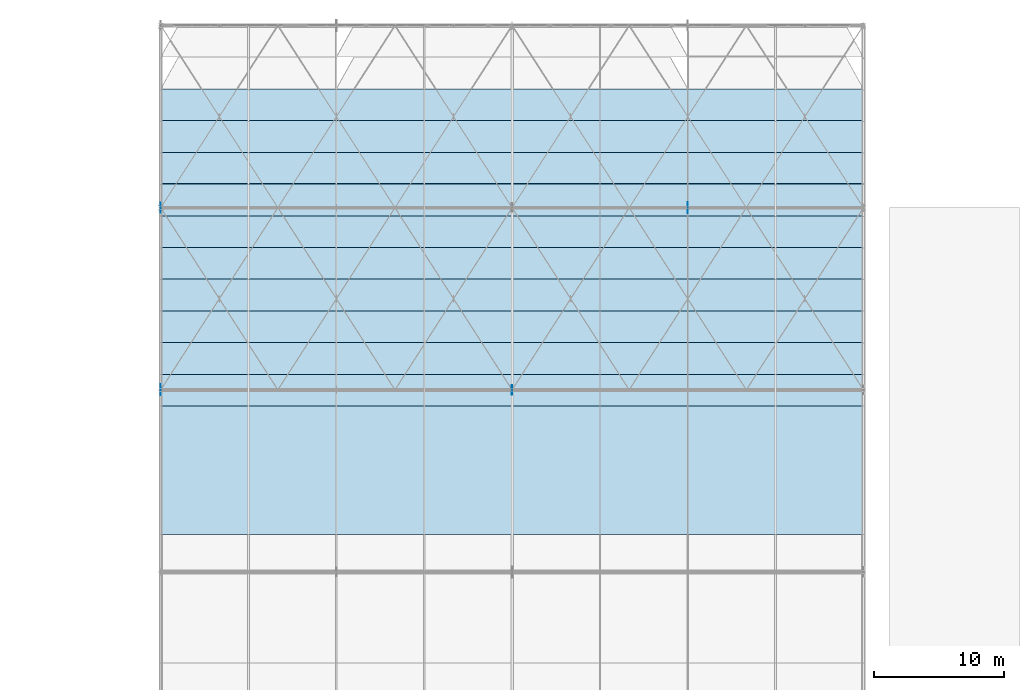
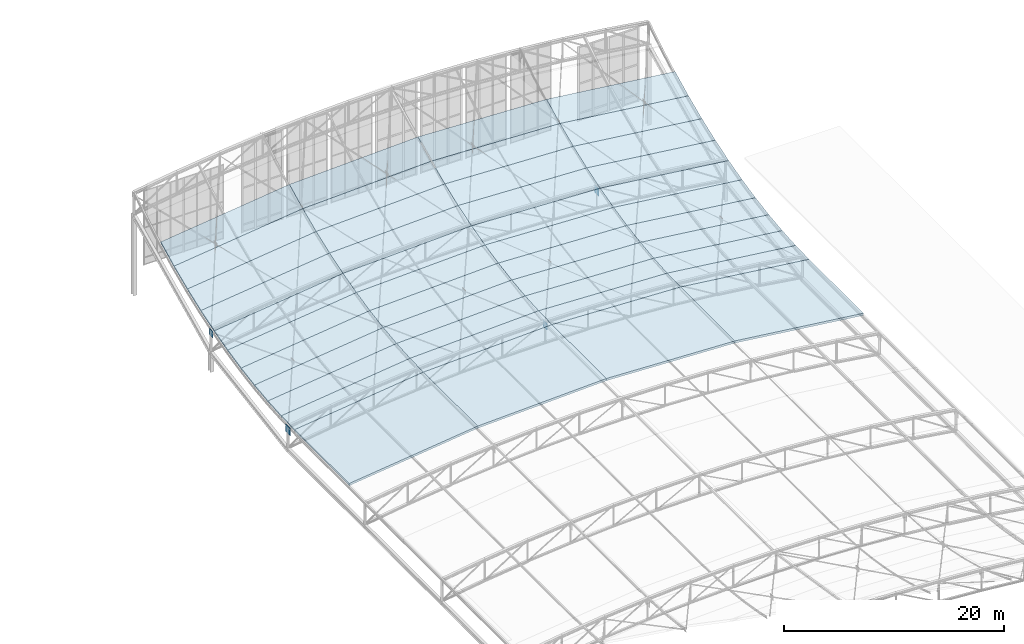
# One storey, part 232 of 262: 44 slabs, 4 plates.
"""IFC4 building model written with IfcOpenShell, lengths in metres."""

import ifcopenshell
import ifcopenshell.guid

model = None  # the IFC model being written
_history = None  # IfcOwnerHistory: only IFC2X3 demands one
_inside = {}  # id of a spatial element -> (the spatial element, [elements in it])
_under = {}  # id of a project, library or spatial element -> (it, [spatial elements below it])
_declared = {}  # id of a project -> (the project, [libraries it declares])
_typed = {}  # id of a type object -> (the type object, [elements of that type])
_made_of = {}  # id of a material, layer set ... -> (it, [elements and type objects made of it])


def new_model(schema):
    """Start an empty IFC model of exactly this schema.

    Asked for "IFC4X3", IfcOpenShell would pick the latest addendum, in which some entities
    have other attributes; the version numbers below select the first issue.
    IFC2X3 requires an IfcOwnerHistory on every rooted entity: one is made here for all.
    """
    global model, _history
    if schema == "IFC4X3":
        model = ifcopenshell.file(schema_version=(4, 3, 0, 0))
    else:
        model = ifcopenshell.file(schema=schema)
    _inside.clear()
    _under.clear()
    _declared.clear()
    _typed.clear()
    _made_of.clear()
    _history = None
    if model.schema == "IFC2X3":
        org = make("IfcOrganization", Name="unknown")
        user = make(
            "IfcPersonAndOrganization",
            ThePerson=make("IfcPerson", FamilyName="unknown"),
            TheOrganization=org,
        )
        app = make(
            "IfcApplication",
            ApplicationDeveloper=org,
            Version="unknown",
            ApplicationFullName="unknown",
            ApplicationIdentifier="unknown",
        )
        _history = make(
            "IfcOwnerHistory",
            OwningUser=user,
            OwningApplication=app,
            ChangeAction="ADDED",
            CreationDate=0,
        )
    return model


def make(cls, **values):
    """One entity of the class cls with the attributes given. An attribute that is None is left unset."""
    return model.create_entity(
        cls, **{name: value for name, value in values.items() if value is not None}
    )


def rooted(cls, **values):
    """An entity with a GlobalId (a new one), such as an element, a storey or a relation."""
    return make(cls, GlobalId=ifcopenshell.guid.new(), OwnerHistory=_history, **values)


def si_unit(unit_type, name, prefix=None):
    """IfcSIUnit, for example si_unit("LENGTHUNIT", "METRE", prefix="MILLI")."""
    return make("IfcSIUnit", UnitType=unit_type, Prefix=prefix, Name=name)


def derived_unit(unit_type, elements):
    """IfcDerivedUnit: a product of units, each with its exponent."""
    return make(
        "IfcDerivedUnit",
        Elements=[
            make("IfcDerivedUnitElement", Unit=unit, Exponent=power)
            for unit, power in elements
        ],
        UnitType=unit_type,
    )


def assignment(units):
    """IfcUnitAssignment: the units of a project."""
    return None if units is None else make("IfcUnitAssignment", Units=units)


def point(xyz):
    """IfcCartesianPoint."""
    return None if xyz is None else make("IfcCartesianPoint", Coordinates=xyz)


def direction(xyz):
    """IfcDirection."""
    return None if xyz is None else make("IfcDirection", DirectionRatios=xyz)


def frame(location, z_axis=None, x_axis=None):
    """IfcAxis2Placement3D, a coordinate frame: its origin and axes. An axis left out is left unset."""
    return make(
        "IfcAxis2Placement3D",
        Location=point(location),
        Axis=direction(z_axis),
        RefDirection=direction(x_axis),
    )


def frame_2d(location, x_axis=None):
    """IfcAxis2Placement2D, a coordinate frame in the plane: its origin and x axis."""
    return make(
        "IfcAxis2Placement2D", Location=point(location), RefDirection=direction(x_axis)
    )


def origin():
    """The frame at (0, 0, 0) with its axes left unset."""
    return frame((0.0, 0.0, 0.0))


def origin_2d():
    """The frame at (0, 0) in the plane with its x axis left unset."""
    return frame_2d((0.0, 0.0))


def place(relative_to, where):
    """IfcLocalPlacement: puts the frame where relative to a parent placement (None: the world)."""
    return make(
        "IfcLocalPlacement", PlacementRelTo=relative_to, RelativePlacement=where
    )


def context(
    kind, dimensions, precision=None, world=None, true_north=None, identifier=None
):
    """IfcGeometricRepresentationContext, for example the 3D "Model" context."""
    return make(
        "IfcGeometricRepresentationContext",
        ContextIdentifier=identifier,
        ContextType=kind,
        CoordinateSpaceDimension=dimensions,
        Precision=precision,
        WorldCoordinateSystem=world,
        TrueNorth=true_north,
    )


def subcontext(parent, identifier, kind, view, scale=None):
    """IfcGeometricRepresentationSubContext, for example "Body" below "Model"."""
    return make(
        "IfcGeometricRepresentationSubContext",
        ContextIdentifier=identifier,
        ContextType=kind,
        ParentContext=parent,
        TargetScale=scale,
        TargetView=view,
    )


def project(units=None, contexts=None):
    """IfcProject with its units and contexts."""
    return rooted(
        "IfcProject",
        Name="project",
        RepresentationContexts=contexts,
        UnitsInContext=assignment(units),
    )


def spatial(cls, under=None, at=None, **own):
    """A site, building, storey or space (cls), placed at a placement, below another one or the project."""
    s = rooted(cls, ObjectPlacement=at, **own)
    if under is not None:
        _under.setdefault(under.id(), (under, []))[1].append(s)
    return s


def polyline(points):
    """IfcPolyline through the points."""
    return make("IfcPolyline", Points=[point(p) for p in points])


def profile(cls, at=None, kind="AREA", **sizes):
    """A parametric profile (cls). Its sizes go by their IFC names, for example OverallWidth=200.0."""
    return make(cls, ProfileType=kind, Position=at, **sizes)


def rectangle(**sizes):
    """IfcRectangleProfileDef."""
    return profile("IfcRectangleProfileDef", **sizes)


def outline(outer, holes=None, kind="AREA"):
    """IfcArbitraryClosedProfileDef: a profile drawn as a closed curve; with holes, ...WithVoids."""
    if holes is None:
        return make("IfcArbitraryClosedProfileDef", ProfileType=kind, OuterCurve=outer)
    return make(
        "IfcArbitraryProfileDefWithVoids",
        ProfileType=kind,
        OuterCurve=outer,
        InnerCurves=holes,
    )


def extrude(swept, where, along, depth):
    """IfcExtrudedAreaSolid: the profile swept, set in the frame where, extruded along a direction by depth."""
    return make(
        "IfcExtrudedAreaSolid",
        SweptArea=swept,
        Position=where,
        ExtrudedDirection=direction(along),
        Depth=depth,
    )


def shape(context_of_items, identifier, shape_type, items):
    """IfcShapeRepresentation: the items that make up one representation, for example the "Body"."""
    return make(
        "IfcShapeRepresentation",
        ContextOfItems=context_of_items,
        RepresentationIdentifier=identifier,
        RepresentationType=shape_type,
        Items=items,
    )


def material(Name=None, Category=None):
    """IfcMaterial."""
    return make("IfcMaterial", Name=Name, Category=Category)


def layer(
    of_material, thickness, ventilated=None, Name=None, Category=None, Priority=None
):
    """IfcMaterialLayer: one layer of a wall or slab, of a material (None: an air gap)."""
    return make(
        "IfcMaterialLayer",
        Material=of_material,
        LayerThickness=thickness,
        IsVentilated=ventilated,
        Name=Name,
        Category=Category,
        Priority=Priority,
    )


def layer_set(layers, Name=None):
    """IfcMaterialLayerSet."""
    return make("IfcMaterialLayerSet", MaterialLayers=layers, LayerSetName=Name)


def made_of(thing, what):
    """Note that an element or type object is made of a material, layer set ...; save() writes the relation."""
    if what is not None:
        _made_of.setdefault(what.id(), (what, []))[1].append(thing)
    return thing


def type_object(cls, material=None, **own):
    """A type object (cls), such as IfcWallType, which elements share."""
    return made_of(rooted(cls, **own), material)


def element(
    cls,
    number,
    at=None,
    inside=None,
    cuts=None,
    type_object=None,
    material=None,
    context=None,
    identifier="Body",
    shape_type=None,
    held_by="IfcProductDefinitionShape",
    body=None,
    shapes=None,
    **own,
):
    """One element of the class cls, such as IfcWall. Its Tag is "e" and its number.

    at: its placement. inside: the storey or other place that contains it. cuts: it is an
    opening in that element (IfcRelVoidsElement). A single representation is given by context,
    identifier, shape_type and body (its items); several are given by shapes. held_by: the class
    of the entity that holds the representations. save() writes the other relations.
    """
    e = rooted(cls, Tag="e%d" % number, ObjectPlacement=at, **own)
    if body is not None:
        shapes = [shape(context, identifier, shape_type, body)]
    if shapes is not None:
        e.Representation = make(held_by, Representations=shapes)
    if inside is not None:
        _inside.setdefault(inside.id(), (inside, []))[1].append(e)
    if cuts is not None:
        rooted(
            "IfcRelVoidsElement", RelatingBuildingElement=cuts, RelatedOpeningElement=e
        )
    if type_object is not None:
        _typed.setdefault(type_object.id(), (type_object, []))[1].append(e)
    return made_of(e, material)


def aggregate(whole, parts):
    """IfcRelAggregates: a whole, such as a stair, and the parts it consists of."""
    return rooted("IfcRelAggregates", RelatingObject=whole, RelatedObjects=parts)


def save(model, path):
    """Write the relations noted so far, then the file.

    IfcRelAggregates (storeys below a building ...), IfcRelContainedInSpatialStructure (elements
    in a storey), IfcRelDefinesByType, IfcRelAssociatesMaterial and IfcRelDeclares: one each for
    every whole, place, type object, material and project.
    """
    for whole, parts in _under.values():
        aggregate(whole, parts)
    for where, things in _inside.values():
        rooted(
            "IfcRelContainedInSpatialStructure",
            RelatedElements=things,
            RelatingStructure=where,
        )
    for kind, things in _typed.values():
        rooted("IfcRelDefinesByType", RelatedObjects=things, RelatingType=kind)
    for what, things in _made_of.values():
        rooted("IfcRelAssociatesMaterial", RelatedObjects=things, RelatingMaterial=what)
    for by, libraries in _declared.values():
        rooted("IfcRelDeclares", RelatingContext=by, RelatedDefinitions=libraries)
    model.write(path)


model = new_model("IFC4")

# Units and contexts
model_context = context("Model", 3, precision=1e-05, world=origin(), true_north=direction((0.0, 1.0)))
body_context = subcontext(model_context, "Body", "Model", "MODEL_VIEW")
ifc_project = project(units=[si_unit("LENGTHUNIT", "METRE"), si_unit("AREAUNIT", "SQUARE_METRE"), si_unit("VOLUMEUNIT", "CUBIC_METRE"), si_unit("PLANEANGLEUNIT", "RADIAN"), si_unit("MASSUNIT", "GRAM", prefix="KILO"), derived_unit("THERMALTRANSMITTANCEUNIT", [(si_unit("POWERUNIT", "WATT"), 1), (si_unit("LENGTHUNIT", "METRE"), -2), (si_unit("THERMODYNAMICTEMPERATUREUNIT", "KELVIN"), -1)])], contexts=[model_context])

# Site, building, storey
site_placement = place(None, origin())
site = spatial("IfcSite", under=ifc_project, at=site_placement, CompositionType="ELEMENT")
building_placement = place(site_placement, origin())
building = spatial("IfcBuilding", under=site, at=building_placement, Name="Almenara Railside Exhibition Hall", CompositionType="ELEMENT")
storey_placement = place(building_placement, frame((0.0, 0.0, 21.699951171875)))
storey = spatial("IfcBuildingStorey", under=building, at=storey_placement, Name="RF", CompositionType="ELEMENT", Elevation=21.699951171875)

# Slabs
ifc_material_1 = material(Name="Planted green roof insulated steel S355JR deck", Category="steel")
ifc_layer_1 = layer(ifc_material_1, 0.2451171875, Name="Planted green roof insulated steel S355JR deck")
ifc_layer_set_1 = layer_set([ifc_layer_1], Name="Planted green roof insulated steel S355JR deck")
slab_type_1 = type_object("IfcSlabType", Name="Flat Planted Hall Roof Deck 245mm S355JR", PredefinedType="ROOF", material=ifc_layer_set_1)
slab_1_placement = place(storey_placement, frame((138.0, 92.8798828125, -6.85986328125), z_axis=(-0.121312355276, 0.0, 0.992614382556), x_axis=(0.992614382556, 0.0, 0.121312355276)))
element("IfcSlab", 1, at=slab_1_placement, inside=storey, type_object=slab_type_1, Name="V2 roof cassette RC-V2-16A", PredefinedType="ROOF", context=body_context, shape_type="SweptSolid", body=[
    extrude(outline(polyline([(0.0, 0.0), (13.600447703804157, 0.0), (13.600447703804157, 9.879638671875), (0.0, 9.879638671875), (0.0, 0.0)])), origin(), (0.0, 0.0, -1.0), 0.2451171875),
])
for number, where, z_axis, x_axis, name in (
    (2, (151.5, 92.8798828125, -5.2099609375), (-0.04071057978, 0.0, 0.99917098071), (0.99917098071, 0.0, 0.04071057978), "V2 roof cassette RC-V2-16B"),
    (3, (165.0, 92.8798828125, -4.659912109375), (0.04071057978, 0.0, 0.99917098071), (0.99917098071, 0.0, -0.04071057978), "V2 roof cassette RC-V2-16C"),
):
    element("IfcSlab", number, at=place(storey_placement, frame(where, z_axis=z_axis, x_axis=x_axis)), inside=storey, type_object=slab_type_1, Name=name, PredefinedType="ROOF", context=body_context, shape_type="SweptSolid", body=[
        extrude(outline(polyline([(0.0, 0.0), (13.511201046291989, 0.0), (13.511201046291989, 9.879638671875), (0.0, 9.879638671875), (0.0, 0.0)])), origin(), (0.0, 0.0, -1.0), 0.2451171875),
    ])
slab_2_placement = place(storey_placement, frame((178.5, 92.8798828125, -5.2099609375), z_axis=(0.121312355276, 0.0, 0.992614382556), x_axis=(0.992614382556, 0.0, -0.121312355276)))
element("IfcSlab", 4, at=slab_2_placement, inside=storey, type_object=slab_type_1, Name="V2 roof cassette RC-V2-16D", PredefinedType="ROOF", context=body_context, shape_type="SweptSolid", body=[
    extrude(outline(polyline([(0.0, 0.0), (13.600447703804157, 0.0), (13.600447703804157, 9.879638671875), (0.0, 9.879638671875), (0.0, 0.0)])), origin(), (0.0, 0.0, -1.0), 0.2451171875),
])
ifc_material_2 = material(Name="White standing-seam insulated steel S355JR roof deck", Category="steel")
ifc_layer_2 = layer(ifc_material_2, 0.195068359375, Name="White standing-seam insulated steel S355JR roof deck")
ifc_layer_set_2 = layer_set([ifc_layer_2], Name="White standing-seam insulated steel S355JR roof deck")
slab_type_2 = type_object("IfcSlabType", Name="Scroll Standing-Seam Insulated Roof Cassette 195mm S355JR", PredefinedType="ROOF", material=ifc_layer_set_2)
slab_3_placement = place(storey_placement, frame((138.0, 102.759521484375, -6.85986328125), z_axis=(-0.121279519792, -0.023265093355, 0.992345712698), x_axis=(0.992614382556, 0.0, 0.121312355276)))
element("IfcSlab", 5, at=slab_3_placement, inside=storey, type_object=slab_type_2, Name="V2 roof cassette RC-V2-17A", PredefinedType="ROOF", context=body_context, shape_type="SweptSolid", body=[
    extrude(outline(polyline([(0.0, 0.0), (13.600447703804157, 0.0), (13.607378145975659, 2.437427313932009), (0.006930442171501791, 2.4374273139320084), (0.0, 0.0)])), origin(), (0.0, 0.0, -1.0), 0.195068359375),
])
slab_4_placement = place(storey_placement, frame((151.5, 102.759521484375, -5.2099609375), z_axis=(-0.040699414701, -0.023418684202, 0.99889695308), x_axis=(0.99917098071, 0.0, 0.04071057978)))
element("IfcSlab", 6, at=slab_4_placement, inside=storey, type_object=slab_type_2, Name="V2 roof cassette RC-V2-17B", PredefinedType="ROOF", context=body_context, shape_type="SweptSolid", body=[
    extrude(outline(polyline([(0.0, 0.0), (13.511201046291989, 0.0), (13.51352679718765, 2.4374360571332483), (0.0023257508956614483, 2.437436057133248), (0.0, 0.0)])), origin(), (0.0, 0.0, -1.0), 0.195068359375),
])
slab_5_placement = place(storey_placement, frame((165.0, 102.759521484375, -4.659912109375), z_axis=(0.040699414701, -0.023418684202, 0.99889695308), x_axis=(0.99917098071, 0.0, -0.04071057978)))
element("IfcSlab", 7, at=slab_5_placement, inside=storey, type_object=slab_type_2, Name="V2 roof cassette RC-V2-17C", PredefinedType="ROOF", context=body_context, shape_type="SweptSolid", body=[
    extrude(outline(polyline([(0.0, 0.0), (13.511201046291989, 0.0), (13.508875295396328, 2.437436057133248), (-0.0023257508956614483, 2.437436057133248), (0.0, 0.0)])), origin(), (0.0, 0.0, -1.0), 0.195068359375),
])
slab_6_placement = place(storey_placement, frame((178.5, 102.759521484375, -5.2099609375), z_axis=(0.121279519792, -0.023265093355, 0.992345712698), x_axis=(0.992614382556, 0.0, -0.121312355276)))
element("IfcSlab", 8, at=slab_6_placement, inside=storey, type_object=slab_type_2, Name="V2 roof cassette RC-V2-17D", PredefinedType="ROOF", context=body_context, shape_type="SweptSolid", body=[
    extrude(outline(polyline([(0.0, 0.0), (13.600447703804157, 0.0), (13.593517261632655, 2.4374273139320084), (-0.006930442171501791, 2.4374273139320084), (0.0, 0.0)])), origin(), (0.0, 0.0, -1.0), 0.195068359375),
])
slab_7_placement = place(storey_placement, frame((138.0, 105.1962890625, -6.802734375), z_axis=(-0.121016955497, -0.069743384887, 0.990197332226), x_axis=(0.992614382556, 0.0, 0.121312355276)))
element("IfcSlab", 9, at=slab_7_placement, inside=storey, type_object=slab_type_2, Name="V2 roof cassette RC-V2-18A", PredefinedType="ROOF", context=body_context, shape_type="SweptSolid", body=[
    extrude(outline(polyline([(0.0, 0.0), (13.600447703804157, 1.3877787807814457e-17), (13.621268647592899, 2.4427156752251635), (0.020820943788742562, 2.4427156752251635), (0.0, 0.0)])), origin(), (0.0, 0.0, -1.0), 0.195068359375),
])
slab_8_placement = place(storey_placement, frame((151.5, 105.1962890625, -5.15283203125), z_axis=(-0.04061013904, -0.070201803692, 0.996705835924), x_axis=(0.99917098071, 0.0, 0.04071057978)))
element("IfcSlab", 10, at=slab_8_placement, inside=storey, type_object=slab_type_2, Name="V2 roof cassette RC-V2-18B", PredefinedType="ROOF", context=body_context, shape_type="SweptSolid", body=[
    extrude(outline(polyline([(0.0, 0.0), (13.511201046291989, 0.0), (13.518188238085365, 2.4427944164095803), (0.00698719179337606, 2.4427944164095803), (0.0, 0.0)])), origin(), (0.0, 0.0, -1.0), 0.195068359375),
])
slab_9_placement = place(storey_placement, frame((165.0, 105.1962890625, -4.602783203125), z_axis=(0.04061013904, -0.070201803692, 0.996705835924), x_axis=(0.99917098071, 0.0, -0.04071057978)))
element("IfcSlab", 11, at=slab_9_placement, inside=storey, type_object=slab_type_2, Name="V2 roof cassette RC-V2-18C", PredefinedType="ROOF", context=body_context, shape_type="SweptSolid", body=[
    extrude(outline(polyline([(0.0, 0.0), (13.511201046291989, 0.0), (13.504213854498612, 2.4427944164095803), (-0.00698719179337606, 2.4427944164095803), (0.0, 0.0)])), origin(), (0.0, 0.0, -1.0), 0.195068359375),
])
slab_10_placement = place(storey_placement, frame((178.5, 105.1962890625, -5.15283203125), z_axis=(0.121016955497, -0.069743384887, 0.990197332226), x_axis=(0.992614382556, 0.0, -0.121312355276)))
element("IfcSlab", 12, at=slab_10_placement, inside=storey, type_object=slab_type_2, Name="V2 roof cassette RC-V2-18D", PredefinedType="ROOF", context=body_context, shape_type="SweptSolid", body=[
    extrude(outline(polyline([(0.0, 0.0), (13.600447703804157, -1.3877787807814457e-17), (13.579626760015413, 2.4427156752251635), (-0.020820943788742562, 2.4427156752251635), (0.0, 0.0)])), origin(), (0.0, 0.0, -1.0), 0.195068359375),
])
slab_11_placement = place(storey_placement, frame((138.0, 107.633056640625, -6.631103515625), z_axis=(-0.120488174976, -0.116368303898, 0.98587069007), x_axis=(0.992614382556, 0.0, 0.121312355276)))
element("IfcSlab", 13, at=slab_11_placement, inside=storey, type_object=slab_type_2, Name="V2 roof cassette RC-V2-19A", PredefinedType="ROOF", context=body_context, shape_type="SweptSolid", body=[
    extrude(outline(polyline([(0.0, 0.0), (13.600447703804157, 2.7755575615628914e-17), (13.635336852855563, 2.4531900906056543), (0.03488914905140646, 2.4531900906056543), (0.0, 0.0)])), origin(), (0.0, 0.0, -1.0), 0.195068359375),
])
slab_12_placement = place(storey_placement, frame((151.5, 107.633056640625, -4.981201171875), z_axis=(-0.040430369248, -0.117126450334, 0.99229369638), x_axis=(0.99917098071, 0.0, 0.04071057978)))
element("IfcSlab", 14, at=slab_12_placement, inside=storey, type_object=slab_type_2, Name="V2 roof cassette RC-V2-19B", PredefinedType="ROOF", context=body_context, shape_type="SweptSolid", body=[
    extrude(outline(polyline([(0.0, 0.0), (13.511201046291989, 0.0), (13.52290931362143, 2.4534102367609565), (0.011708267329440967, 2.4534102367609565), (0.0, 0.0)])), origin(), (0.0, 0.0, -1.0), 0.195068359375),
])
slab_13_placement = place(storey_placement, frame((165.0, 107.633056640625, -4.43115234375), z_axis=(0.040430369248, -0.117126450334, 0.99229369638), x_axis=(0.99917098071, 0.0, -0.04071057978)))
element("IfcSlab", 15, at=slab_13_placement, inside=storey, type_object=slab_type_2, Name="V2 roof cassette RC-V2-19C", PredefinedType="ROOF", context=body_context, shape_type="SweptSolid", body=[
    extrude(outline(polyline([(0.0, 0.0), (13.511201046291989, 0.0), (13.499492778962548, 2.453410236760957), (-0.011708267329440967, 2.4534102367609565), (0.0, 0.0)])), origin(), (0.0, 0.0, -1.0), 0.195068359375),
])
slab_14_placement = place(storey_placement, frame((178.5, 107.633056640625, -4.981201171875), z_axis=(0.120488174976, -0.116368303898, 0.98587069007), x_axis=(0.992614382556, 0.0, -0.121312355276)))
element("IfcSlab", 16, at=slab_14_placement, inside=storey, type_object=slab_type_2, Name="V2 roof cassette RC-V2-19D", PredefinedType="ROOF", context=body_context, shape_type="SweptSolid", body=[
    extrude(outline(polyline([(0.0, 0.0), (13.600447703804157, -2.7755575615628914e-17), (13.56555855475275, 2.4531900906056543), (-0.03488914905140646, 2.4531900906056543), (0.0, 0.0)])), origin(), (0.0, 0.0, -1.0), 0.195068359375),
])
slab_15_placement = place(storey_placement, frame((138.0, 110.069580078125, -6.343505859375), z_axis=(-0.119692276774, -0.162882973753, 0.979358410257), x_axis=(0.992614382556, 0.0, 0.121312355276)))
element("IfcSlab", 17, at=slab_15_placement, inside=storey, type_object=slab_type_2, Name="V2 roof cassette RC-V2-20A", PredefinedType="ROOF", context=body_context, shape_type="SweptSolid", body=[
    extrude(outline(polyline([(0.0, 0.0), (13.600447703804157, -5.551115123125783e-17), (13.649612379037887, 2.4697501136053037), (0.04916467523373066, 2.4697501136053033), (0.0, 0.0)])), origin(), (0.0, 0.0, -1.0), 0.195068359375),
])
slab_16_placement = place(storey_placement, frame((151.5, 110.069580078125, -4.693603515625), z_axis=(-0.040159845601, -0.163930057659, 0.985654159935), x_axis=(0.99917098071, 0.0, 0.04071057978)))
element("IfcSlab", 18, at=slab_16_placement, inside=storey, type_object=slab_type_2, Name="V2 roof cassette RC-V2-20B", PredefinedType="ROOF", context=body_context, shape_type="SweptSolid", body=[
    extrude(outline(polyline([(0.0, 0.0), (13.511201046291989, 0.0), (13.527699962902236, 2.4701843199840234), (0.016498916610247882, 2.4701843199840234), (0.0, 0.0)])), origin(), (0.0, 0.0, -1.0), 0.195068359375),
])
slab_17_placement = place(storey_placement, frame((165.0, 110.069580078125, -4.1435546875), z_axis=(0.040159845601, -0.163930057659, 0.985654159935), x_axis=(0.99917098071, 0.0, -0.04071057978)))
element("IfcSlab", 19, at=slab_17_placement, inside=storey, type_object=slab_type_2, Name="V2 roof cassette RC-V2-20C", PredefinedType="ROOF", context=body_context, shape_type="SweptSolid", body=[
    extrude(outline(polyline([(0.0, 0.0), (13.511201046291989, 0.0), (13.494702129681741, 2.4701843199840234), (-0.016498916610247882, 2.4701843199840234), (0.0, 0.0)])), origin(), (0.0, 0.0, -1.0), 0.195068359375),
])
slab_18_placement = place(storey_placement, frame((178.5, 110.069580078125, -4.693603515625), z_axis=(0.119692276774, -0.162882973753, 0.979358410257), x_axis=(0.992614382556, 0.0, -0.121312355276)))
element("IfcSlab", 20, at=slab_18_placement, inside=storey, type_object=slab_type_2, Name="V2 roof cassette RC-V2-20D", PredefinedType="ROOF", context=body_context, shape_type="SweptSolid", body=[
    extrude(outline(polyline([(0.0, 0.0), (13.600447703804157, 5.551115123125783e-17), (13.551283028570426, 2.4697501136053033), (-0.04916467523373066, 2.4697501136053033), (0.0, 0.0)])), origin(), (0.0, 0.0, -1.0), 0.195068359375),
])
slab_19_placement = place(storey_placement, frame((138.0, 112.50634765625, -5.938232421875), z_axis=(-0.118631065148, -0.209417344689, 0.97060344432), x_axis=(0.992613349126, -1.824363e-06, 0.121320810804)))
element("IfcSlab", 21, at=slab_19_placement, inside=storey, type_object=slab_type_2, Name="V2 roof cassette RC-V2-21A", PredefinedType="ROOF", context=body_context, shape_type="SweptSolid", body=[
    extrude(outline(polyline([(0.0, 0.0), (13.600447703288072, 5.551115123125783e-17), (13.664243313029562, 2.492050352617225), (0.06376599040291517, 2.491999602942346), (0.0, 0.0)])), origin(), (0.0, 0.0, -1.0), 0.195068359375),
])
slab_20_placement = place(storey_placement, frame((151.5, 112.50634765625, -4.288330078125), z_axis=(-0.039795900698, -0.210786361166, 0.976721759886), x_axis=(0.99917098071, 0.0, 0.04071057978)))
element("IfcSlab", 22, at=slab_20_placement, inside=storey, type_object=slab_type_2, Name="V2 roof cassette RC-V2-21B", PredefinedType="ROOF", context=body_context, shape_type="SweptSolid", body=[
    extrude(outline(polyline([(0.0, 0.0), (13.511201046291989, 1.3877787807814457e-17), (13.532609881459743, 2.4927748626012405), (0.021408835167755384, 2.4927748626012405), (0.0, 0.0)])), origin(), (0.0, 0.0, -1.0), 0.195068359375),
])
slab_21_placement = place(storey_placement, frame((165.0, 112.50634765625, -3.73828125), z_axis=(0.039795900698, -0.210786361166, 0.976721759886), x_axis=(0.99917098071, 0.0, -0.04071057978)))
element("IfcSlab", 23, at=slab_21_placement, inside=storey, type_object=slab_type_2, Name="V2 roof cassette RC-V2-21C", PredefinedType="ROOF", context=body_context, shape_type="SweptSolid", body=[
    extrude(outline(polyline([(0.0, 0.0), (13.511201046291989, -1.3877787807814457e-17), (13.489792211124232, 2.4927748626012405), (-0.021408835167755384, 2.4927748626012405), (0.0, 0.0)])), origin(), (0.0, 0.0, -1.0), 0.195068359375),
])
slab_22_placement = place(storey_placement, frame((178.5, 112.50634765625, -4.288330078125), z_axis=(0.118631065148, -0.209417344689, 0.97060344432), x_axis=(0.992613349126, 1.824363e-06, -0.121320810804)))
element("IfcSlab", 24, at=slab_22_placement, inside=storey, type_object=slab_type_2, Name="V2 roof cassette RC-V2-21D", PredefinedType="ROOF", context=body_context, shape_type="SweptSolid", body=[
    extrude(outline(polyline([(0.0, 0.0), (13.600447703288072, -5.551115123125783e-17), (13.536681712885157, 2.4919996029423457), (-0.0637956097414903, 2.4920503526172246), (0.0, 0.0)])), origin(), (0.0, 0.0, -1.0), 0.195068359375),
])
slab_23_placement = place(storey_placement, frame((138.0, 114.943115234375, -5.41259765625), z_axis=(-0.117286614982, -0.256009943126, 0.959532573166), x_axis=(0.992612220818, 0.0, 0.121330041965)))
element("IfcSlab", 25, at=slab_23_placement, inside=storey, type_object=slab_type_2, Name="V2 roof cassette RC-V2-22A", PredefinedType="ROOF", context=body_context, shape_type="SweptSolid", body=[
    extrude(outline(polyline([(0.0, 0.0), (13.600477323237415, 5.551115123125783e-17), (13.679359623470155, 2.520774536458257), (0.07888230023273898, 2.520774536458257), (0.0, 0.0)])), origin(), (0.0, 0.0, -1.0), 0.195068359375),
])
slab_24_placement = place(storey_placement, frame((151.5, 114.943115234375, -3.762451171875), z_axis=(-0.03933677698, -0.257589650078, 0.965453359904), x_axis=(0.99917098071, 0.0, 0.04071057978)))
element("IfcSlab", 26, at=slab_24_placement, inside=storey, type_object=slab_type_2, Name="V2 roof cassette RC-V2-22B", PredefinedType="ROOF", context=body_context, shape_type="SweptSolid", body=[
    extrude(outline(polyline([(0.0, 0.0), (13.511201046291989, 0.0), (13.537668886613126, 2.521869571245723), (0.026467840321138622, 2.521869571245723), (0.0, 0.0)])), origin(), (0.0, 0.0, -1.0), 0.195068359375),
])
slab_25_placement = place(storey_placement, frame((165.0, 114.943115234375, -3.21240234375), z_axis=(0.03933677698, -0.257589650078, 0.965453359904), x_axis=(0.99917098071, 0.0, -0.04071057978)))
element("IfcSlab", 27, at=slab_25_placement, inside=storey, type_object=slab_type_2, Name="V2 roof cassette RC-V2-22C", PredefinedType="ROOF", context=body_context, shape_type="SweptSolid", body=[
    extrude(outline(polyline([(0.0, 0.0), (13.511201046291989, 0.0), (13.48473320597085, 2.521869571245723), (-0.026467840321138622, 2.521869571245723), (0.0, 0.0)])), origin(), (0.0, 0.0, -1.0), 0.195068359375),
])
slab_26_placement = place(storey_placement, frame((178.5, 114.943115234375, -3.762451171875), z_axis=(0.117286614982, -0.256009943126, 0.959532573166), x_axis=(0.992612220818, 0.0, -0.121330041965)))
element("IfcSlab", 28, at=slab_26_placement, inside=storey, type_object=slab_type_2, Name="V2 roof cassette RC-V2-22D", PredefinedType="ROOF", context=body_context, shape_type="SweptSolid", body=[
    extrude(outline(polyline([(0.0, 0.0), (13.600477323237415, -5.551115123125783e-17), (13.521595023004677, 2.520774536458257), (-0.07888230023273898, 2.520774536458257), (0.0, 0.0)])), origin(), (0.0, 0.0, -1.0), 0.195068359375),
])
slab_27_placement = place(storey_placement, frame((138.0, 117.3798828125, -4.762451171875), z_axis=(-0.115638740889, -0.302679495597, 0.946051163813), x_axis=(0.992612220818, 0.0, 0.121330041965)))
element("IfcSlab", 29, at=slab_27_placement, inside=storey, type_object=slab_type_2, Name="V2 roof cassette RC-V2-23A", PredefinedType="ROOF", context=body_context, shape_type="SweptSolid", body=[
    extrude(outline(polyline([(0.0, 0.0), (13.600477323237415, -5.551115123125783e-17), (13.695059067376784, 2.5564398976318663), (0.09458174413936747, 2.5564398976318663), (0.0, 0.0)])), origin(), (0.0, 0.0, -1.0), 0.195068359375),
])
slab_28_placement = place(storey_placement, frame((151.5, 117.3798828125, -3.1123046875), z_axis=(-0.038769369854, -0.304451433762, 0.951738546262), x_axis=(0.999171314114, 2.617892e-06, 0.04070239605)))
element("IfcSlab", 30, at=slab_28_placement, inside=storey, type_object=slab_type_2, Name="V2 roof cassette RC-V2-23B", PredefinedType="ROOF", context=body_context, shape_type="SweptSolid", body=[
    extrude(outline(polyline([(0.0, 0.0), (13.511201045792491, -2.7755575615628914e-17), (13.54292667439501, 2.5579178156977194), (0.03173556571093035, 2.5579920830408986), (0.0, 0.0)])), origin(), (0.0, 0.0, -1.0), 0.195068359375),
])
slab_29_placement = place(storey_placement, frame((165.0, 117.3798828125, -2.562255859375), z_axis=(0.038769369854, -0.304451433762, 0.951738546262), x_axis=(0.999171314114, -2.617892e-06, -0.04070239605)))
element("IfcSlab", 31, at=slab_29_placement, inside=storey, type_object=slab_type_2, Name="V2 roof cassette RC-V2-23C", PredefinedType="ROOF", context=body_context, shape_type="SweptSolid", body=[
    extrude(outline(polyline([(0.0, 0.0), (13.511201045792491, 2.7755575615628914e-17), (13.479465480081561, 2.5579920830408986), (-0.0317256286025198, 2.5579178156977194), (0.0, 0.0)])), origin(), (0.0, 0.0, -1.0), 0.195068359375),
])
slab_30_placement = place(storey_placement, frame((178.5, 117.3798828125, -3.1123046875), z_axis=(0.115638740889, -0.302679495597, 0.946051163813), x_axis=(0.992612220818, 0.0, -0.121330041965)))
element("IfcSlab", 32, at=slab_30_placement, inside=storey, type_object=slab_type_2, Name="V2 roof cassette RC-V2-23D", PredefinedType="ROOF", context=body_context, shape_type="SweptSolid", body=[
    extrude(outline(polyline([(0.0, 0.0), (13.600477323237415, 5.551115123125783e-17), (13.505895579098048, 2.5564398976318663), (-0.09458174413936747, 2.5564398976318663), (0.0, 0.0)])), origin(), (0.0, 0.0, -1.0), 0.195068359375),
])
slab_31_placement = place(storey_placement, frame((138.0, 119.81640625, -3.98291015625), z_axis=(-0.113689134993, -0.349265556374, 0.93010125885), x_axis=(0.992612220818, 0.0, 0.121330041965)))
element("IfcSlab", 33, at=slab_31_placement, inside=storey, type_object=slab_type_2, Name="V2 roof cassette RC-V2-24A", PredefinedType="ROOF", context=body_context, shape_type="SweptSolid", body=[
    extrude(outline(polyline([(0.0, 0.0), (13.600477323237415, 0.0), (13.711499051090328, 2.600539730834084), (0.11102172785291241, 2.600539730834084), (0.0, 0.0)])), origin(), (0.0, 0.0, -1.0), 0.195068359375),
])
slab_32_placement = place(storey_placement, frame((151.5, 119.81640625, -2.332763671875), z_axis=(-0.038099076355, -0.351289609221, 0.935491352624), x_axis=(0.999171715558, 0.0, 0.04069254021)))
element("IfcSlab", 34, at=slab_32_placement, inside=storey, type_object=slab_type_2, Name="V2 roof cassette RC-V2-24B", PredefinedType="ROOF", context=body_context, shape_type="SweptSolid", body=[
    extrude(outline(polyline([(0.0, 0.0), (13.51119110938769, 0.0), (13.548426373231939, 2.6026421672655093), (0.03723526384424778, 2.60264216726551), (0.0, 0.0)])), origin(), (0.0, 0.0, -1.0), 0.195068359375),
])
slab_33_placement = place(storey_placement, frame((165.0, 119.81640625, -1.782958984375), z_axis=(0.038099076355, -0.351289609221, 0.935491352624), x_axis=(0.999171715558, 0.0, -0.04069254021)))
element("IfcSlab", 35, at=slab_33_placement, inside=storey, type_object=slab_type_2, Name="V2 roof cassette RC-V2-24C", PredefinedType="ROOF", context=body_context, shape_type="SweptSolid", body=[
    extrude(outline(polyline([(0.0, 0.0), (13.51119110938769, 0.0), (13.473955845543443, 2.60264216726551), (-0.03723526384424778, 2.60264216726551), (0.0, 0.0)])), origin(), (0.0, 0.0, -1.0), 0.195068359375),
])
slab_34_placement = place(storey_placement, frame((178.5, 119.81640625, -2.332763671875), z_axis=(0.113689134993, -0.349265556374, 0.93010125885), x_axis=(0.992612220818, 0.0, -0.121330041965)))
element("IfcSlab", 36, at=slab_34_placement, inside=storey, type_object=slab_type_2, Name="V2 roof cassette RC-V2-24D", PredefinedType="ROOF", context=body_context, shape_type="SweptSolid", body=[
    extrude(outline(polyline([(0.0, 0.0), (13.600477323237415, 0.0), (13.489455595384504, 2.600539730834084), (-0.11102172785291241, 2.600539730834084), (0.0, 0.0)])), origin(), (0.0, 0.0, -1.0), 0.195068359375),
])
slab_35_placement = place(storey_placement, frame((138.0, 122.253173828125, -3.06787109375), z_axis=(-0.111406823331, -0.395931745169, 0.911496885833), x_axis=(0.99261313228, 3.239153e-06, 0.121322584932)))
element("IfcSlab", 37, at=slab_35_placement, inside=storey, type_object=slab_type_2, Name="V2 roof cassette RC-V2-25A", PredefinedType="ROOF", context=body_context, shape_type="SweptSolid", body=[
    extrude(outline(polyline([(0.0, 0.0), (13.600477322782274, 0.0), (13.728886926216163, 2.653573267658359), (0.12843922320560244, 2.6536692165570113), (0.0, 0.0)])), origin(), (0.0, 0.0, -1.0), 0.195068359375),
])
slab_36_placement = place(storey_placement, frame((151.5, 122.253173828125, -1.417724609375), z_axis=(-0.037336648917, -0.398134110572, 0.916567075912), x_axis=(0.999171406409, -3.296933e-06, 0.040700130266)))
element("IfcSlab", 38, at=slab_36_placement, inside=storey, type_object=slab_type_2, Name="V2 roof cassette RC-V2-25B", PredefinedType="ROOF", context=body_context, shape_type="SweptSolid", body=[
    extrude(outline(polyline([(0.0, 0.0), (13.511191108924432, 0.0), (13.554267978590065, 2.65642642061128), (0.04306693311039225, 2.6563293004105244), (0.0, 0.0)])), origin(), (0.0, 0.0, -1.0), 0.195068359375),
])
slab_37_placement = place(storey_placement, frame((165.0, 122.253173828125, -0.867919921875), z_axis=(0.037336648917, -0.398134110572, 0.916567075912), x_axis=(0.999171406409, 3.296933e-06, -0.040700130266)))
element("IfcSlab", 39, at=slab_37_placement, inside=storey, type_object=slab_type_2, Name="V2 roof cassette RC-V2-25C", PredefinedType="ROOF", context=body_context, shape_type="SweptSolid", body=[
    extrude(outline(polyline([(0.0, 0.0), (13.511191108924432, 0.0), (13.468124175814038, 2.656329300410525), (-0.04307686966563302, 2.6564264206112806), (0.0, 0.0)])), origin(), (0.0, 0.0, -1.0), 0.195068359375),
])
slab_38_placement = place(storey_placement, frame((178.5, 122.253173828125, -1.417724609375), z_axis=(0.111406823331, -0.395931745169, 0.911496885833), x_axis=(0.99261313228, -3.239153e-06, -0.121322584932)))
element("IfcSlab", 40, at=slab_38_placement, inside=storey, type_object=slab_type_2, Name="V2 roof cassette RC-V2-25D", PredefinedType="ROOF", context=body_context, shape_type="SweptSolid", body=[
    extrude(outline(polyline([(0.0, 0.0), (13.600477322782274, 0.0), (13.472038099576672, 2.6536692165570113), (-0.1284096034338904, 2.653573267658359), (0.0, 0.0)])), origin(), (0.0, 0.0, -1.0), 0.195068359375),
])
slab_39_placement = place(storey_placement, frame((138.0, 124.68994140625, -2.00927734375), z_axis=(-0.108779023727, -0.442668279908, 0.890062873038), x_axis=(0.992614382556, 0.0, 0.121312355276)))
element("IfcSlab", 41, at=slab_39_placement, inside=storey, type_object=slab_type_2, Name="V2 roof cassette RC-V2-26A", PredefinedType="ROOF", context=body_context, shape_type="SweptSolid", body=[
    extrude(outline(polyline([(0.0, 0.0), (13.600447703804157, 0.0), (13.747467853117554, 2.717527736819313), (0.14702014931339696, 2.717527736819313), (0.0, 0.0)])), origin(), (0.0, 0.0, -1.0), 0.195068359375),
])
slab_40_placement = place(storey_placement, frame((151.5, 124.68994140625, -0.359375), z_axis=(-0.036457270547, -0.445014736902, 0.894780839851), x_axis=(0.99917098071, 0.0, 0.04071057978)))
element("IfcSlab", 42, at=slab_40_placement, inside=storey, type_object=slab_type_2, Name="V2 roof cassette RC-V2-26B", PredefinedType="ROOF", context=body_context, shape_type="SweptSolid", body=[
    extrude(outline(polyline([(0.0, 0.0), (13.511201046291989, 2.7755575615628914e-17), (13.560538770420465, 2.721054522361552), (0.049337724128476194, 2.721054522361552), (0.0, 0.0)])), origin(), (0.0, 0.0, -1.0), 0.195068359375),
])
slab_41_placement = place(storey_placement, frame((165.0, 124.68994140625, 0.190673828125), z_axis=(0.036457270547, -0.445014736902, 0.894780839851), x_axis=(0.99917098071, 0.0, -0.04071057978)))
element("IfcSlab", 43, at=slab_41_placement, inside=storey, type_object=slab_type_2, Name="V2 roof cassette RC-V2-26C", PredefinedType="ROOF", context=body_context, shape_type="SweptSolid", body=[
    extrude(outline(polyline([(0.0, 0.0), (13.511201046291989, -2.7755575615628914e-17), (13.461863322163513, 2.7210545223615514), (-0.049337724128476194, 2.721054522361552), (0.0, 0.0)])), origin(), (0.0, 0.0, -1.0), 0.195068359375),
])
slab_42_placement = place(storey_placement, frame((178.5, 124.68994140625, -0.359375), z_axis=(0.108779023727, -0.442668279908, 0.890062873038), x_axis=(0.992614382556, 0.0, -0.121312355276)))
element("IfcSlab", 44, at=slab_42_placement, inside=storey, type_object=slab_type_2, Name="V2 roof cassette RC-V2-26D", PredefinedType="ROOF", context=body_context, shape_type="SweptSolid", body=[
    extrude(outline(polyline([(0.0, 0.0), (13.600447703804157, 0.0), (13.45342755449076, 2.717527736819313), (-0.14702014931339696, 2.717527736819313), (0.0, 0.0)])), origin(), (0.0, 0.0, -1.0), 0.195068359375),
])

# Plates
ifc_material_3 = material(Name="Structural steel S355JR", Category="steel")
ifc_layer_3 = layer(ifc_material_3, 0.02392578125, Name="Structural steel S355JR")
ifc_layer_set_3 = layer_set([ifc_layer_3], Name="Structural steel S355JR")
plate_type_1 = type_object("IfcPlateType", Name="Truss Node Gusset Plate 24mm S355JR", PredefinedType="USERDEFINED", material=ifc_layer_set_3)
for number, where, z_axis, x_axis, name in (
    (45, (165.0, 104.0, -5.81005859375), (0.0, 0.0, 1.0), (0.0, 1.0, 0.0), "PLT-GUS-0140"),
    (46, (138.0, 118.0, -5.741455078125), (0.0, 0.0, 1.0), (0.0, 1.0, 0.0), "PLT-GUS-0143"),
):
    element("IfcPlate", number, at=place(storey_placement, frame(where, z_axis=z_axis, x_axis=x_axis)), inside=storey, type_object=plate_type_1, Name=name, ObjectType="GUSSET_PLATE", PredefinedType="USERDEFINED", context=body_context, shape_type="SweptSolid", body=[
        extrude(rectangle(XDim=0.75, YDim=0.02392578125, at=origin_2d()), origin(), (0.0, 0.0, 1.0), 0.75),
    ])
ifc_layer_4 = layer(ifc_material_3, 0.028076171875, Name="Structural steel S355JR")
ifc_layer_set_4 = layer_set([ifc_layer_4], Name="Structural steel S355JR")
plate_type_2 = type_object("IfcPlateType", Name="Truss Node Gusset Plate 28mm S355JR", PredefinedType="USERDEFINED", material=ifc_layer_set_4)
for number, where, z_axis, x_axis, name in (
    (47, (138.0, 104.0, -8.060302734375), (0.0, 0.0, 1.0), (0.0, 1.0, 0.0), "PLT-GUS-0138"),
    (48, (178.5, 118.0, -4.1416015625), (0.0, 0.0, 1.0), (0.0, 1.0, 0.0), "PLT-GUS-0146"),
):
    element("IfcPlate", number, at=place(storey_placement, frame(where, z_axis=z_axis, x_axis=x_axis)), inside=storey, type_object=plate_type_2, Name=name, ObjectType="GUSSET_PLATE", PredefinedType="USERDEFINED", context=body_context, shape_type="SweptSolid", body=[
        extrude(rectangle(XDim=0.85009765625, YDim=0.028076171875, at=origin_2d()), origin(), (0.0, 0.0, 1.0), 0.85009765625),
    ])

save(model, "model.ifc")
